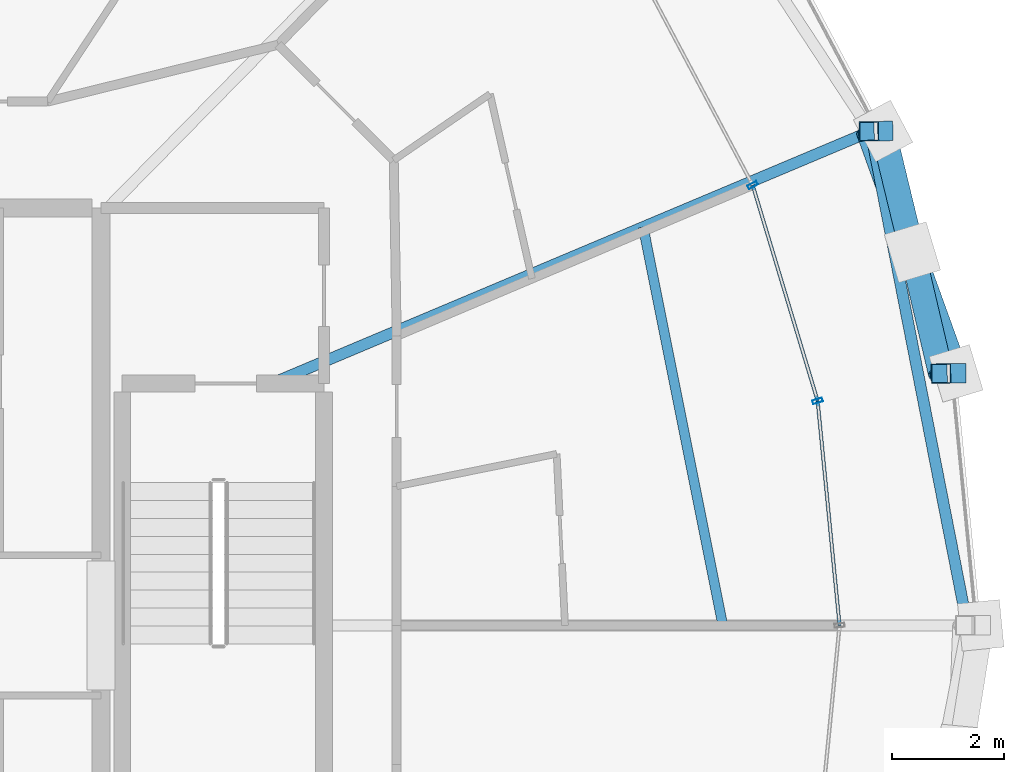
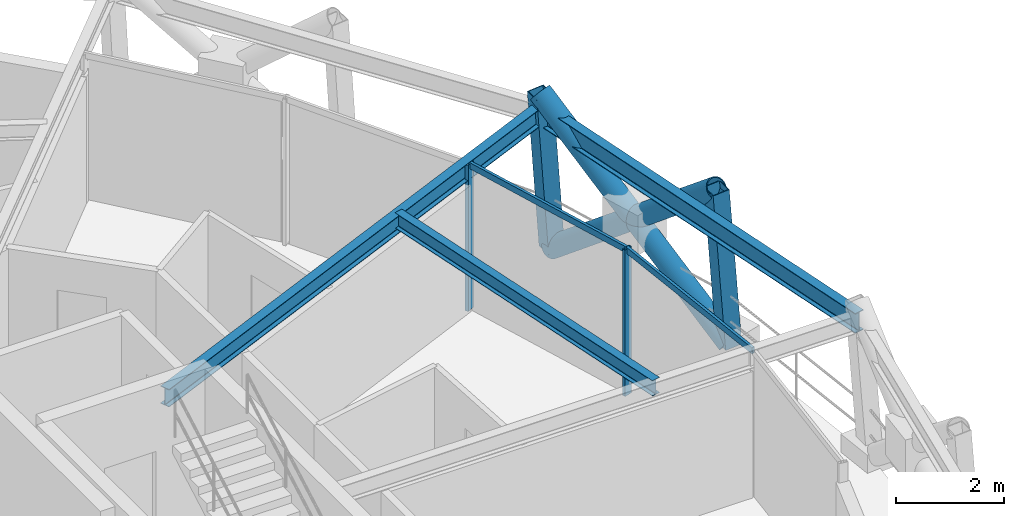
# One storey, part 6 of 15: 9 members, 3 beams, 1 element without a shape of its own.
"""IFC4 building model written with IfcOpenShell, lengths in metres."""

from ifc_helpers import new_model, si_unit, direction, frame, origin, origin_2d, place, context, subcontext, project, spatial, hollow_rectangle, hollow_circle, i_section, extrude, material, layer, layer_set, material_profile, profile_set, type_object, element, aggregate, save


model = new_model("IFC4")

# Units and contexts
model_context = context("Model", 3, precision=1e-05, world=origin(), true_north=direction((0.0, 1.0)))
body_context = subcontext(model_context, "Body", "Model", "MODEL_VIEW")
ifc_project = project(units=[si_unit("LENGTHUNIT", "METRE"), si_unit("AREAUNIT", "SQUARE_METRE"), si_unit("VOLUMEUNIT", "CUBIC_METRE"), si_unit("PLANEANGLEUNIT", "RADIAN"), si_unit("MASSUNIT", "GRAM", prefix="KILO")], contexts=[model_context])

# Site, building, storey
site_placement = place(None, origin())
site = spatial("IfcSite", under=ifc_project, at=site_placement, CompositionType="ELEMENT")
building_placement = place(site_placement, origin())
building = spatial("IfcBuilding", under=site, at=building_placement, Name="Veldorina Hangang Commons", CompositionType="ELEMENT")
storey_placement = place(building_placement, frame((0.0, 0.0, 250.800048828125)))
storey = spatial("IfcBuildingStorey", under=building, at=storey_placement, Name="L65", CompositionType="ELEMENT", Elevation=250.800048828125)

# Beams
ifc_material_1 = material(Name="Steel SM355-TMC", Category="steel")
ifc_material_profile_1 = material_profile(ifc_material_1, i_section(OverallWidth=0.199951171875, OverallDepth=0.39990234375, WebThickness=0.008056640625, FlangeThickness=0.012939453125, FilletRadius=0.012939453125, at=origin_2d()), Name="H-400x200x8x13")
ifc_profile_set_1 = profile_set([ifc_material_profile_1], Name="Steel SM355-TMC")
beam_type_1 = type_object("IfcBeamType", Name="BM-FG400", PredefinedType="BEAM", material=ifc_profile_set_1)
beam_1_placement = place(storey_placement, frame((42.256591796875, 28.320068359375, 3.159912109375), z_axis=(0.921596519665, 0.388149268892, 0.0), x_axis=(-0.388149268892, 0.921596519665, 0.0)))
element("IfcBeam", 1, at=beam_1_placement, inside=storey, type_object=beam_type_1, Name="L65 radial floor girder 02", PredefinedType="BEAM", context=body_context, shape_type="SweptSolid", body=[
    extrude(i_section(OverallWidth=0.199951171875, OverallDepth=0.39990234375, WebThickness=0.008056640625, FlangeThickness=0.012939453125, FilletRadius=0.012939453125, at=origin_2d()), origin(), (0.0, 0.0, 1.0), 11.59228515625),
])
ifc_material_profile_2 = material_profile(ifc_material_1, i_section(OverallWidth=0.175048828125, OverallDepth=0.35009765625, WebThickness=0.007080078125, FlangeThickness=0.010986328125, FilletRadius=0.012939453125, at=origin_2d()), Name="H-350x175x7x11")
ifc_profile_set_2 = profile_set([ifc_material_profile_2], Name="Steel SM355-TMC")
beam_type_2 = type_object("IfcBeamType", Name="BM-JST350", PredefinedType="JOIST", material=ifc_profile_set_2)
beam_2_placement = place(storey_placement, frame((50.30078125, 24.0, 3.18505859375), z_axis=(-0.195941293134, 0.980615627881, 0.0), x_axis=(-0.980615627881, -0.195941293134, 0.0)))
element("IfcBeam", 2, at=beam_2_placement, inside=storey, type_object=beam_type_2, Name="L65 secondary floor joist 01", PredefinedType="JOIST", context=body_context, shape_type="SweptSolid", body=[
    extrude(i_section(OverallWidth=0.175048828125, OverallDepth=0.35009765625, WebThickness=0.007080078125, FlangeThickness=0.010986328125, FilletRadius=0.012939453125, at=origin_2d()), origin(), (0.0, 0.0, 1.0), 7.25048828125),
])
ifc_material_profile_3 = material_profile(ifc_material_1, i_section(OverallWidth=0.199951171875, OverallDepth=0.449951171875, WebThickness=0.009033203125, FlangeThickness=0.013916015625, FilletRadius=0.01611328125, at=origin_2d()), Name="H-450x200x9x14")
ifc_profile_set_3 = profile_set([ifc_material_profile_3], Name="Steel SM355-TMC")
beam_type_3 = type_object("IfcBeamType", Name="BM-RB450", PredefinedType="BEAM", material=ifc_profile_set_3)
beam_3_placement = place(storey_placement, frame((54.665283203125, 24.0, 3.135009765625), z_axis=(-0.19198714763, 0.981397439952, 0.0), x_axis=(-0.981397439952, -0.19198714763, 0.0)))
element("IfcBeam", 3, at=beam_3_placement, inside=storey, type_object=beam_type_3, Name="L65 perimeter hoop ring beam 00", PredefinedType="BEAM", context=body_context, shape_type="SweptSolid", body=[
    extrude(i_section(OverallWidth=0.199951171875, OverallDepth=0.449951171875, WebThickness=0.009033203125, FlangeThickness=0.013916015625, FilletRadius=0.01611328125, at=origin_2d()), origin(), (0.0, 0.0, 1.0), 8.98681640625),
])

# Curtain wall, members
ifc_material_2 = material(Name="Glass Low-E Selective", Category="glass")
ifc_layer = layer(ifc_material_2, 0.179931640625)
ifc_layer_set = layer_set([ifc_layer], Name="Glass Low-E Selective")
curtain_wall_type = type_object("IfcCurtainWallType", Name="CW-SYS-Z3", PredefinedType="NOTDEFINED", material=ifc_layer_set)
curtain_wall_placement = place(storey_placement, origin())
curtain_wall = element("IfcCurtainWall", 4, at=curtain_wall_placement, inside=storey, type_object=curtain_wall_type, Name="L65 unitised curtain wall CW-L65-R2", PredefinedType="NOTDEFINED")
ifc_material_3 = material(Name="Aluminium Anodized AA6063-T6", Category="aluminium")
ifc_material_profile_4 = material_profile(ifc_material_3, hollow_rectangle(XDim=0.070068359375, YDim=0.179931640625, WallThickness=0.00390625, at=origin_2d()), Name="ALU-RHS-180x70x4")
ifc_profile_set_4 = profile_set([ifc_material_profile_4], Name="Aluminium Anodized AA6063-T6")
member_type_1 = type_object("IfcMemberType", Name="CW-MUL-180", PredefinedType="MULLION", material=ifc_profile_set_4)
member_1_placement = place(storey_placement, frame((51.993408203125, 28.006591796875, 0.0), z_axis=(0.0, 0.0, 1.0), x_axis=(-0.288296543192, 0.957541175712, 0.0)))
member_1 = element("IfcMember", 5, at=member_1_placement, type_object=member_type_1, Name="CW-L65-R2 vertical mullion 3", PredefinedType="MULLION", context=body_context, shape_type="SweptSolid", body=[
    extrude(hollow_rectangle(XDim=0.070068359375, YDim=0.179931640625, WallThickness=0.00390625, at=origin_2d()), origin(), (0.0, 0.0, 1.0), 3.320068359375),
])
member_2_placement = place(storey_placement, frame((50.83349609375, 31.859375, 0.0), z_axis=(0.0, 0.0, 1.0), x_axis=(-0.468670031731, 0.88337330804, 0.0)))
member_2 = element("IfcMember", 6, at=member_2_placement, type_object=member_type_1, Name="CW-L65-R2 vertical mullion 4", PredefinedType="MULLION", context=body_context, shape_type="SweptSolid", body=[
    extrude(hollow_rectangle(XDim=0.070068359375, YDim=0.179931640625, WallThickness=0.00390625, at=origin_2d()), origin(), (0.0, 0.0, 1.0), 3.320068359375),
])
ifc_material_profile_5 = material_profile(ifc_material_3, hollow_rectangle(XDim=0.06005859375, YDim=0.139892578125, WallThickness=0.00341796875, at=origin_2d()), Name="ALU-RHS-140x60x3.5")
ifc_profile_set_5 = profile_set([ifc_material_profile_5], Name="Aluminium Anodized AA6063-T6")
member_type_2 = type_object("IfcMemberType", Name="CW-TRN-140", PredefinedType="USERDEFINED", material=ifc_profile_set_5)
member_3_placement = place(storey_placement, frame((52.38525390625, 24.0, 3.280029296875), z_axis=(-0.097335860355, 0.995251591453, 0.0), x_axis=(-0.995251591453, -0.097335860355, 0.0)))
member_3 = element("IfcMember", 7, at=member_3_placement, type_object=member_type_2, Name="CW-L65-R2 facet 2 transom 1", ObjectType="TRANSOM", PredefinedType="USERDEFINED", context=body_context, shape_type="SweptSolid", body=[
    extrude(hollow_rectangle(XDim=0.06005859375, YDim=0.139892578125, WallThickness=0.00341796875, at=origin_2d()), origin(), (0.0, 0.0, 1.0), 4.025634765625),
])
member_4_placement = place(storey_placement, frame((51.993408203125, 28.006591796875, 3.280029296875), z_axis=(-0.288277391775, 0.957546941612, 0.0), x_axis=(-0.957546941612, -0.288277391775, 0.0)))
member_4 = element("IfcMember", 8, at=member_4_placement, type_object=member_type_2, Name="CW-L65-R2 facet 3 transom 1", ObjectType="TRANSOM", PredefinedType="USERDEFINED", context=body_context, shape_type="SweptSolid", body=[
    extrude(hollow_rectangle(XDim=0.06005859375, YDim=0.139892578125, WallThickness=0.00341796875, at=origin_2d()), origin(), (0.0, 0.0, 1.0), 4.023681640625),
])
aggregate(curtain_wall, [member_1, member_2, member_3, member_4])

# Members
ifc_material_profile_6 = material_profile(ifc_material_1, hollow_circle(Radius=0.22509765625, WallThickness=0.02197265625, at=origin_2d()), Name="CHS-450x22")
ifc_profile_set_6 = profile_set([ifc_material_profile_6], Name="Steel SM355-TMC")
member_type_3 = type_object("IfcMemberType", Name="DG-CHS450", PredefinedType="BRACE", material=ifc_profile_set_6)
member_5_placement = place(storey_placement, frame((54.465087890625, 28.498291015625, 0.0), z_axis=(-0.266993264267, 0.740402192259, 0.616862375684), x_axis=(-0.940705682366, -0.339223848167, 0.0)))
element("IfcMember", 9, at=member_5_placement, inside=storey, type_object=member_type_3, Name="L65 continuous perimeter diagrid brace 01", PredefinedType="BRACE", context=body_context, shape_type="SweptSolid", body=[
    extrude(hollow_circle(Radius=0.22509765625, WallThickness=0.02197265625, at=origin_2d()), origin(), (0.0, 0.0, 1.0), 5.835693359375),
])
member_6_placement = place(storey_placement, frame((53.16162109375, 32.82373046875, 0.0), z_axis=(0.182973226911, -0.755510607481, 0.629066387766), x_axis=(0.971903352853, 0.235380272568, 0.0)))
element("IfcMember", 10, at=member_6_placement, inside=storey, type_object=member_type_3, Name="L65 split perimeter diagrid lower brace 02", PredefinedType="BRACE", context=body_context, shape_type="SweptSolid", body=[
    extrude(hollow_circle(Radius=0.22509765625, WallThickness=0.02197265625, at=origin_2d()), origin(), (0.0, 0.0, 1.0), 2.86328125),
])
member_7_placement = place(storey_placement, frame((53.685546875, 30.660400390625, 1.80126953125), z_axis=(0.178081073983, -0.756801879607, 0.628918155337), x_axis=(0.973414288146, 0.229051574176, 0.0)))
element("IfcMember", 11, at=member_7_placement, inside=storey, type_object=member_type_3, Name="L65 split perimeter diagrid upper brace 02", PredefinedType="BRACE", context=body_context, shape_type="SweptSolid", body=[
    extrude(hollow_circle(Radius=0.22509765625, WallThickness=0.02197265625, at=origin_2d()), origin(), (0.0, 0.0, 1.0), 2.85986328125),
])
ifc_material_profile_7 = material_profile(ifc_material_1, hollow_rectangle(XDim=0.35009765625, YDim=0.35009765625, WallThickness=0.01611328125, at=origin_2d()), Name="SHS-350x350x16")
ifc_profile_set_7 = profile_set([ifc_material_profile_7], Name="Steel SM355-TMC")
member_type_4 = type_object("IfcMemberType", Name="STR-SHS350", PredefinedType="STRUT", material=ifc_profile_set_7)
member_8_placement = place(storey_placement, frame((54.465087890625, 28.498291015625, 0.0), z_axis=(-0.074865591518, -0.000608663346, 0.997193448001), x_axis=(0.008129812622, -0.999966952527, 0.0)))
element("IfcMember", 12, at=member_8_placement, inside=storey, type_object=member_type_4, Name="L65 perimeter ring node post 01", PredefinedType="STRUT", context=body_context, shape_type="SweptSolid", body=[
    extrude(hollow_rectangle(XDim=0.35009765625, YDim=0.35009765625, WallThickness=0.01611328125, at=origin_2d()), origin(), (0.0, 0.0, 1.0), 3.60986328125),
])
member_9_placement = place(storey_placement, frame((53.16162109375, 32.82373046875, 0.0), z_axis=(-0.070559480211, -0.001285359659, 0.997506745643), x_axis=(0.018213660818, -0.999834117521, 0.0)))
element("IfcMember", 13, at=member_9_placement, inside=storey, type_object=member_type_4, Name="L65 perimeter ring node post 02", PredefinedType="STRUT", context=body_context, shape_type="SweptSolid", body=[
    extrude(hollow_rectangle(XDim=0.35009765625, YDim=0.35009765625, WallThickness=0.01611328125, at=origin_2d()), origin(), (0.0, 0.0, 1.0), 3.60888671875),
])

save(model, "model.ifc")
